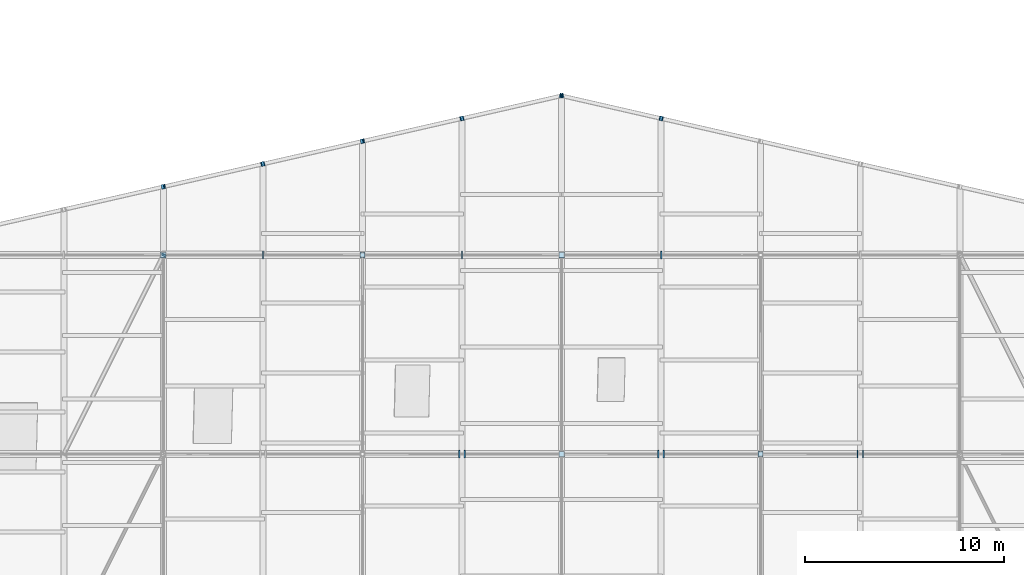
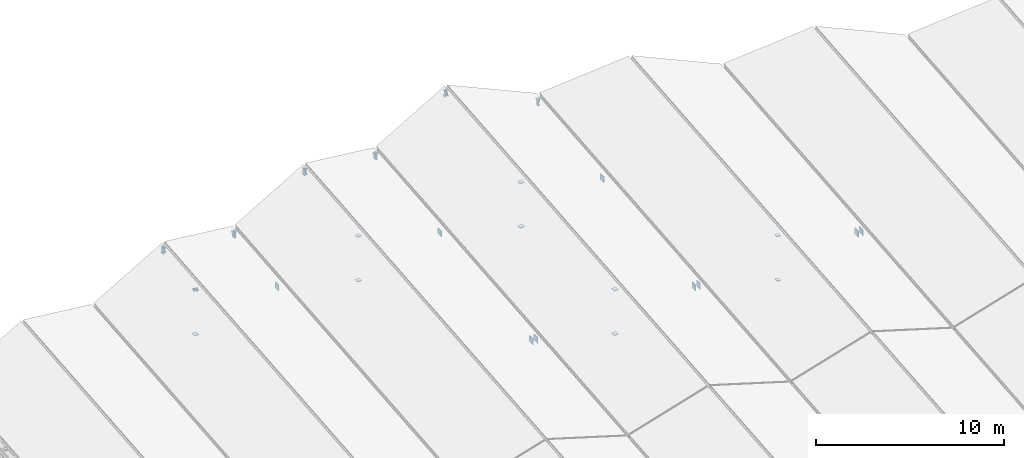
# One storey, part 85 of 90: 32 plates.
"""IFC4 building model written with IfcOpenShell, lengths in metres."""

from ifc_helpers import new_model, si_unit, direction, frame, origin, origin_2d, place, context, subcontext, project, spatial, rectangle, extrude, material, layer, layer_set, type_object, element, save


model = new_model("IFC4")

# Units and contexts
model_context = context("Model", 3, precision=1e-05, world=origin(), true_north=direction((0.0, 1.0)))
body_context = subcontext(model_context, "Body", "Model", "MODEL_VIEW")
ifc_project = project(units=[si_unit("LENGTHUNIT", "METRE"), si_unit("AREAUNIT", "SQUARE_METRE"), si_unit("VOLUMEUNIT", "CUBIC_METRE"), si_unit("PLANEANGLEUNIT", "RADIAN"), si_unit("MASSUNIT", "GRAM", prefix="KILO"), si_unit("THERMODYNAMICTEMPERATUREUNIT", "KELVIN"), si_unit("POWERUNIT", "WATT")], contexts=[model_context])

# Site, building, storey
site_placement = place(None, origin())
site = spatial("IfcSite", under=ifc_project, at=site_placement, CompositionType="ELEMENT")
building_placement = place(site_placement, origin())
building = spatial("IfcBuilding", under=site, at=building_placement, Name="Korenveer Ferry Terminal", CompositionType="ELEMENT")
storey_placement = place(building_placement, frame((0.0, 0.0, 22.199951171875)))
storey = spatial("IfcBuildingStorey", under=building, at=storey_placement, Name="RF", CompositionType="ELEMENT", Elevation=22.199951171875)

# Plates
ifc_material = material(Name="Steel S355", Category="steel")
ifc_layer_1 = layer(ifc_material, 0.031982421875)
ifc_layer_set_1 = layer_set([ifc_layer_1], Name="Steel S355")
plate_type_1 = type_object("IfcPlateType", Name="STR-PLT-CAP32", PredefinedType="USERDEFINED", material=ifc_layer_set_1)
for number, where, z_axis, x_axis, name in (
    (1, (88.0, 90.0, -6.427734375), (0.0, 0.0, 1.0), (1.0, 0.0, 0.0), "Hollow section end cap 426"),
    (2, (88.0, 90.0, -3.5361328125), (0.0, 0.0, 1.0), (1.0, 0.0, 0.0), "Hollow section end cap 427"),
):
    element("IfcPlate", number, at=place(storey_placement, frame(where, z_axis=z_axis, x_axis=x_axis)), inside=storey, type_object=plate_type_1, Name=name, ObjectType="END CAP PLATE", PredefinedType="USERDEFINED", context=body_context, shape_type="SweptSolid", body=[
        extrude(rectangle(XDim=0.280029296875, YDim=0.280029296875, at=origin_2d()), origin(), (0.0, 0.0, 1.0), 0.031982421875),
    ])
for number, where, z_axis, x_axis, name in (
    (3, (98.0, 90.0, -6.427734375), (0.0, 0.0, 1.0), (1.0, 0.0, 0.0), "Hollow section end cap 430"),
    (4, (98.0, 90.0, -3.5361328125), (0.0, 0.0, 1.0), (1.0, 0.0, 0.0), "Hollow section end cap 431"),
):
    element("IfcPlate", number, at=place(storey_placement, frame(where, z_axis=z_axis, x_axis=x_axis)), inside=storey, type_object=plate_type_1, Name=name, ObjectType="END CAP PLATE", PredefinedType="USERDEFINED", context=body_context, shape_type="SweptSolid", body=[
        extrude(rectangle(XDim=0.2490234375, YDim=0.2490234375, at=origin_2d()), origin(), (0.0, 0.0, 1.0), 0.031982421875),
    ])
for number, where, z_axis, x_axis, name in (
    (5, (68.0, 100.0, -5.51953125), (0.0, 0.0, 1.0), (1.0, 0.0, 0.0), "Hollow section end cap 445"),
    (6, (68.0, 100.0, -2.6279296875), (0.0, 0.0, 1.0), (1.0, 0.0, 0.0), "Hollow section end cap 446"),
):
    element("IfcPlate", number, at=place(storey_placement, frame(where, z_axis=z_axis, x_axis=x_axis)), inside=storey, type_object=plate_type_1, Name=name, ObjectType="END CAP PLATE", PredefinedType="USERDEFINED", context=body_context, shape_type="SweptSolid", body=[
        extrude(rectangle(XDim=0.280029296875, YDim=0.280029296875, at=origin_2d()), origin(), (0.0, 0.0, 1.0), 0.031982421875),
    ])
for number, where, z_axis, x_axis, name in (
    (7, (78.0, 100.0, -5.51953125), (0.0, 0.0, 1.0), (1.0, 0.0, 0.0), "Hollow section end cap 448"),
    (8, (78.0, 100.0, -2.6279296875), (0.0, 0.0, 1.0), (1.0, 0.0, 0.0), "Hollow section end cap 449"),
):
    element("IfcPlate", number, at=place(storey_placement, frame(where, z_axis=z_axis, x_axis=x_axis)), inside=storey, type_object=plate_type_1, Name=name, ObjectType="END CAP PLATE", PredefinedType="USERDEFINED", context=body_context, shape_type="SweptSolid", body=[
        extrude(rectangle(XDim=0.2490234375, YDim=0.2490234375, at=origin_2d()), origin(), (0.0, 0.0, 1.0), 0.031982421875),
    ])
for number, where, z_axis, x_axis, name in (
    (9, (88.0, 100.0, -5.51953125), (0.0, 0.0, 1.0), (1.0, 0.0, 0.0), "Hollow section end cap 451"),
    (10, (88.0, 100.0, -2.6279296875), (0.0, 0.0, 1.0), (1.0, 0.0, 0.0), "Hollow section end cap 452"),
):
    element("IfcPlate", number, at=place(storey_placement, frame(where, z_axis=z_axis, x_axis=x_axis)), inside=storey, type_object=plate_type_1, Name=name, ObjectType="END CAP PLATE", PredefinedType="USERDEFINED", context=body_context, shape_type="SweptSolid", body=[
        extrude(rectangle(XDim=0.280029296875, YDim=0.280029296875, at=origin_2d()), origin(), (0.0, 0.0, 1.0), 0.031982421875),
    ])
plate_placement = place(storey_placement, frame((68.0, 100.0, -2.6279296875), z_axis=(0.437110268059, 0.874220536117, 0.211360043028), x_axis=(-0.894427191, 0.4472135955, 0.0)))
element("IfcPlate", 11, at=plate_placement, inside=storey, type_object=plate_type_1, Name="Hollow section end cap 579", ObjectType="END CAP PLATE", PredefinedType="USERDEFINED", context=body_context, shape_type="SweptSolid", body=[
    extrude(rectangle(XDim=0.2490234375, YDim=0.2490234375, at=origin_2d()), origin(), (0.0, 0.0, 1.0), 0.031982421875),
])
ifc_layer_2 = layer(ifc_material, 0.0419921875)
ifc_layer_set_2 = layer_set([ifc_layer_2], Name="Steel S355")
plate_type_2 = type_object("IfcPlateType", Name="STR-PLT-CAP42", PredefinedType="USERDEFINED", material=ifc_layer_set_2)
for number, where, z_axis, x_axis, name in (
    (12, (68.0, 103.4287109375, -2.11669921875), (0.929929821832, 0.212555387962, 0.300084543946), (-0.222824801616, 0.974858506546, 0.0), "Hollow section end cap 245"),
    (13, (67.96044921875, 103.419677734375, -2.10546875), (0.94017541962, 0.214897238913, -0.264365952893), (-0.222824801643, 0.97485850654, 0.0), "Hollow section end cap 246"),
    (14, (73.0, 104.571533203125, -3.5224609375), (0.94017541962, 0.214897238913, -0.264365952893), (-0.222824801643, 0.97485850654, 0.0), "Hollow section end cap 247"),
    (15, (72.9609375, 104.5625, -3.53515625), (0.929929821832, 0.212555387962, 0.300084543946), (-0.222824801616, 0.974858506546, 0.0), "Hollow section end cap 248"),
    (16, (78.0, 105.71435546875, -1.9091796875), (0.929929821832, 0.212555387962, 0.300084543946), (-0.222824801616, 0.974858506546, 0.0), "Hollow section end cap 249"),
    (17, (77.96044921875, 105.705322265625, -1.89794921875), (0.94017541962, 0.214897238913, -0.264365952893), (-0.222824801643, 0.97485850654, 0.0), "Hollow section end cap 250"),
    (18, (83.0, 106.857177734375, -3.31494140625), (0.94017541962, 0.214897238913, -0.264365952893), (-0.222824801643, 0.97485850654, 0.0), "Hollow section end cap 251"),
    (19, (82.9609375, 106.848388671875, -3.32763671875), (0.929929821832, 0.212555387962, 0.300084543946), (-0.222824801616, 0.974858506546, 0.0), "Hollow section end cap 252"),
    (20, (88.0, 108.0, -1.70166015625), (0.929929821832, 0.212555387962, 0.300084543946), (-0.222824801616, 0.974858506546, 0.0), "Hollow section end cap 253"),
    (21, (87.9609375, 108.0087890625, -1.68896484375), (0.929929821832, -0.212555387962, -0.300084543946), (0.222824801616, 0.974858506546, 0.0), "Hollow section end cap 254"),
    (22, (93.0, 106.857177734375, -3.31494140625), (0.929929821832, -0.212555387962, -0.300084543946), (0.222824801616, 0.974858506546, 0.0), "Hollow section end cap 255"),
    (23, (92.96044921875, 106.865966796875, -3.326171875), (0.94017541962, -0.214897238913, 0.264365952893), (0.222824801643, 0.97485850654, 0.0), "Hollow section end cap 256"),
):
    element("IfcPlate", number, at=place(storey_placement, frame(where, z_axis=z_axis, x_axis=x_axis)), inside=storey, type_object=plate_type_2, Name=name, ObjectType="END CAP PLATE", PredefinedType="USERDEFINED", context=body_context, shape_type="SweptSolid", body=[
        extrude(rectangle(XDim=0.22998046875, YDim=0.429931640625, at=origin_2d()), origin(), (0.0, 0.0, 1.0), 0.0419921875),
    ])
for number, where, z_axis, x_axis, name in (
    (24, (82.840087890625, 90.0, -5.045654296875), (1.0, 0.0, 0.0), (0.0, 1.0, 0.0), "Hollow section end cap 421"),
    (25, (83.117919921875, 90.0, -5.045654296875), (1.0, 0.0, 0.0), (0.0, 1.0, 0.0), "Hollow section end cap 424"),
    (26, (92.840087890625, 90.0, -5.045654296875), (1.0, 0.0, 0.0), (0.0, 1.0, 0.0), "Hollow section end cap 425"),
    (27, (93.117919921875, 90.0, -5.045654296875), (1.0, 0.0, 0.0), (0.0, 1.0, 0.0), "Hollow section end cap 428"),
    (28, (102.840087890625, 90.0, -5.045654296875), (1.0, 0.0, 0.0), (0.0, 1.0, 0.0), "Hollow section end cap 429"),
    (29, (103.117919921875, 90.0, -5.045654296875), (1.0, 0.0, 0.0), (0.0, 1.0, 0.0), "Hollow section end cap 432"),
    (30, (72.97998046875, 100.0, -4.1376953125), (1.0, 0.0, 0.0), (0.0, 1.0, 0.0), "Hollow section end cap 444"),
    (31, (82.97998046875, 100.0, -4.1376953125), (1.0, 0.0, 0.0), (0.0, 1.0, 0.0), "Hollow section end cap 447"),
    (32, (92.97998046875, 100.0, -4.1376953125), (1.0, 0.0, 0.0), (0.0, 1.0, 0.0), "Hollow section end cap 450"),
):
    element("IfcPlate", number, at=place(storey_placement, frame(where, z_axis=z_axis, x_axis=x_axis)), inside=storey, type_object=plate_type_2, Name=name, ObjectType="END CAP PLATE", PredefinedType="USERDEFINED", context=body_context, shape_type="SweptSolid", body=[
        extrude(rectangle(XDim=0.385498046875, YDim=0.385498046875, at=origin_2d()), origin(), (0.0, 0.0, 1.0), 0.0419921875),
    ])

save(model, "model.ifc")
